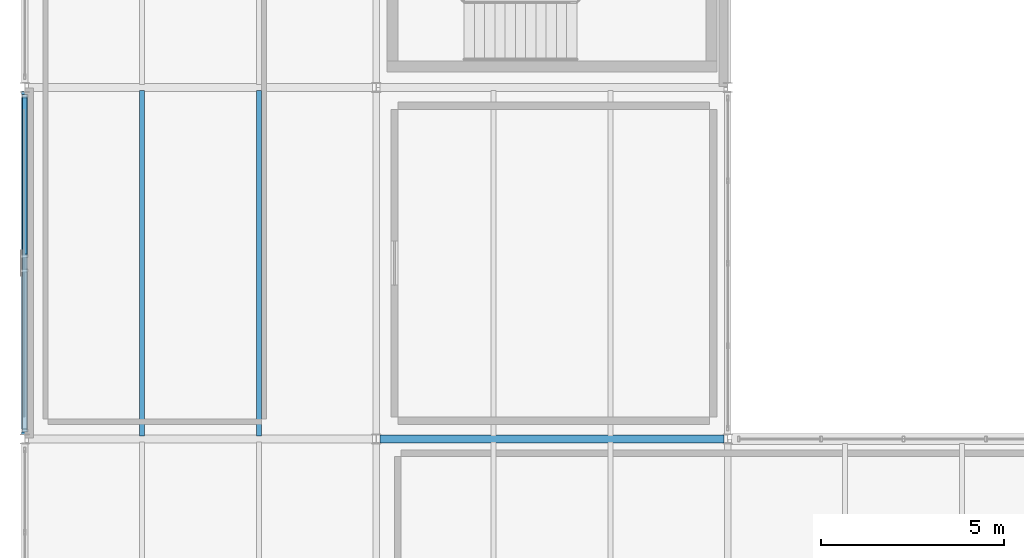
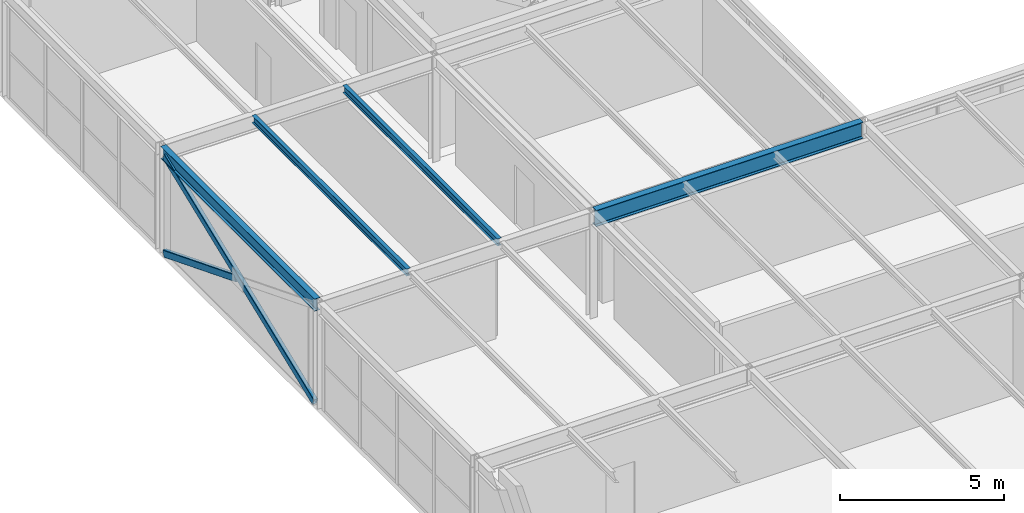
# One storey, part 13 of 39: 4 beams, 2 members.
"""IFC4 building model written with IfcOpenShell, lengths in metres."""

from ifc_helpers import new_model, si_unit, direction, frame, origin, origin_2d, place, context, subcontext, project, spatial, hollow_rectangle, i_section, extrude, material, material_profile, profile_set, type_object, element, save


model = new_model("IFC4")

# Units and contexts
model_context = context("Model", 3, precision=1e-05, world=origin(), true_north=direction((0.0, 1.0)))
body_context = subcontext(model_context, "Body", "Model", "MODEL_VIEW")
ifc_project = project(units=[si_unit("LENGTHUNIT", "METRE"), si_unit("AREAUNIT", "SQUARE_METRE"), si_unit("VOLUMEUNIT", "CUBIC_METRE"), si_unit("PLANEANGLEUNIT", "RADIAN"), si_unit("MASSUNIT", "GRAM", prefix="KILO")], contexts=[model_context])

# Site, building, storey
site_placement = place(None, origin())
site = spatial("IfcSite", under=ifc_project, at=site_placement, CompositionType="ELEMENT")
building_placement = place(site_placement, origin())
building = spatial("IfcBuilding", under=site, at=building_placement, Name="Coralgate Yard Interchange", CompositionType="ELEMENT")
storey_placement = place(building_placement, frame((0.0, 0.0, 18.89990234375)))
storey = spatial("IfcBuildingStorey", under=building, at=storey_placement, Name="L04", CompositionType="ELEMENT", Elevation=18.89990234375)

# Beams
ifc_material = material(Name="Structural steel S355J2", Category="steel")
ifc_material_profile_1 = material_profile(ifc_material, i_section(OverallWidth=0.1904296875, OverallDepth=0.45703125, WebThickness=0.009033203125, FlangeThickness=0.014404296875, FilletRadius=0.01025390625, at=origin_2d()), Name="UB 457x191x74")
ifc_profile_set_1 = profile_set([ifc_material_profile_1], Name="Structural steel S355J2")
beam_type_1 = type_object("IfcBeamType", Name="BM-SB-2", PredefinedType="BEAM", material=ifc_profile_set_1)
beam_1_placement = place(storey_placement, frame((0.0, 19.30322265625, 3.7216796875), z_axis=(0.0, 1.0, 0.0), x_axis=(-1.0, 0.0, 0.0)))
element("IfcBeam", 1, at=beam_1_placement, inside=storey, type_object=beam_type_1, Name="L04 primary grid girder X0 Y2-3", PredefinedType="BEAM", context=body_context, shape_type="SweptSolid", body=[
    extrude(i_section(OverallWidth=0.1904296875, OverallDepth=0.45703125, WebThickness=0.009033203125, FlangeThickness=0.014404296875, FilletRadius=0.01025390625, at=origin_2d()), origin(), (0.0, 0.0, 1.0), 9.393310546875),
])
ifc_material_profile_2 = material_profile(ifc_material, i_section(OverallWidth=0.228271484375, OverallDepth=0.607666015625, WebThickness=0.010986328125, FlangeThickness=0.017333984375, FilletRadius=0.0126953125, at=origin_2d()), Name="UB 610x229x113")
ifc_profile_set_2 = profile_set([ifc_material_profile_2], Name="Structural steel S355J2")
beam_type_2 = type_object("IfcBeamType", Name="BM-SG-5", PredefinedType="BEAM", material=ifc_profile_set_2)
beam_2_placement = place(storey_placement, frame((9.699462890625, 19.199951171875, 3.646240234375), z_axis=(1.0, 0.0, 0.0), x_axis=(0.0, 1.0, 0.0)))
element("IfcBeam", 2, at=beam_2_placement, inside=storey, type_object=beam_type_2, Name="L04 primary grid beam Y2 X1-2", PredefinedType="BEAM", context=body_context, shape_type="SweptSolid", body=[
    extrude(i_section(OverallWidth=0.228271484375, OverallDepth=0.607666015625, WebThickness=0.010986328125, FlangeThickness=0.017333984375, FilletRadius=0.0126953125, at=origin_2d()), origin(), (0.0, 0.0, 1.0), 9.401123046875),
])
ifc_material_profile_3 = material_profile(ifc_material, i_section(OverallWidth=0.135009765625, OverallDepth=0.27001953125, WebThickness=0.006591796875, FlangeThickness=0.01025390625, FilletRadius=0.014892578125, at=origin_2d()), Name="IPE 270")
ifc_profile_set_3 = profile_set([ifc_material_profile_3], Name="Structural steel S355J2")
beam_type_3 = type_object("IfcBeamType", Name="BM-SJ-3", PredefinedType="JOIST", material=ifc_profile_set_3)
for number, where, z_axis, x_axis, name in (
    (3, (3.199951171875, 19.2841796875, 3.815185546875), (0.0, 1.0, 0.0), (-1.0, 0.0, 0.0), "L04 composite floor joist 0-2-1"),
    (4, (6.39990234375, 19.2841796875, 3.815185546875), (0.0, 1.0, 0.0), (-1.0, 0.0, 0.0), "L04 composite floor joist 0-2-2"),
):
    element("IfcBeam", number, at=place(storey_placement, frame(where, z_axis=z_axis, x_axis=x_axis)), inside=storey, type_object=beam_type_3, Name=name, PredefinedType="JOIST", context=body_context, shape_type="SweptSolid", body=[
        extrude(i_section(OverallWidth=0.135009765625, OverallDepth=0.27001953125, WebThickness=0.006591796875, FlangeThickness=0.01025390625, FilletRadius=0.014892578125, at=origin_2d()), origin(), (0.0, 0.0, 1.0), 9.431640625),
    ])

# Members
ifc_material_profile_4 = material_profile(ifc_material, hollow_rectangle(XDim=0.14990234375, YDim=0.25, WallThickness=0.010009765625, InnerFilletRadius=0.010009765625, OuterFilletRadius=0.02001953125, at=origin_2d()), Name="RHS 250x150x10")
ifc_profile_set_4 = profile_set([ifc_material_profile_4], Name="Structural steel S355J2")
member_type = type_object("IfcMemberType", Name="MB-BR-3", PredefinedType="BRACE", material=ifc_profile_set_4)
member_1_placement = place(storey_placement, frame((0.0, 19.43994140625, 0.02001953125), z_axis=(0.0, 0.929804483599, 0.368053830682), x_axis=(-1.0, 0.0, 0.0)))
element("IfcMember", 5, at=member_1_placement, inside=storey, type_object=member_type, Name="L04 continuous concentric X-brace W-A", PredefinedType="BRACE", context=body_context, shape_type="SweptSolid", body=[
    extrude(hollow_rectangle(XDim=0.14990234375, YDim=0.25, WallThickness=0.010009765625, InnerFilletRadius=0.010009765625, OuterFilletRadius=0.02001953125, at=origin_2d()), origin(), (0.0, 0.0, 1.0), 9.80859375),
])
member_2_placement = place(storey_placement, frame((0.0, 28.56005859375, 0.02001953125), z_axis=(0.0, -0.929800667683, 0.368063470582), x_axis=(1.0, 0.0, 0.0)))
element("IfcMember", 6, at=member_2_placement, inside=storey, type_object=member_type, Name="L04 split concentric X-brace W-B1", PredefinedType="BRACE", context=body_context, shape_type="SweptSolid", body=[
    extrude(hollow_rectangle(XDim=0.14990234375, YDim=0.25, WallThickness=0.010009765625, InnerFilletRadius=0.010009765625, OuterFilletRadius=0.02001953125, at=origin_2d()), origin(), (0.0, 0.0, 1.0), 4.684326171875),
])

save(model, "model.ifc")
